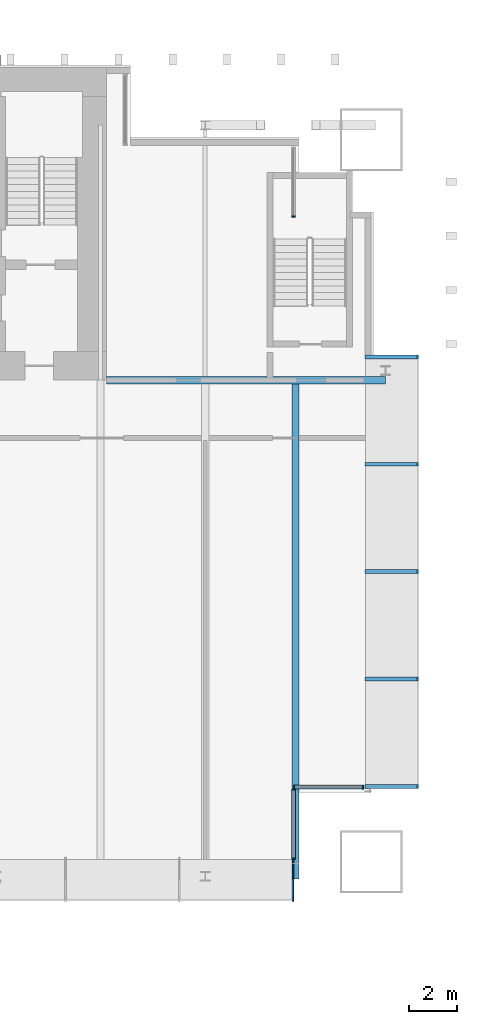
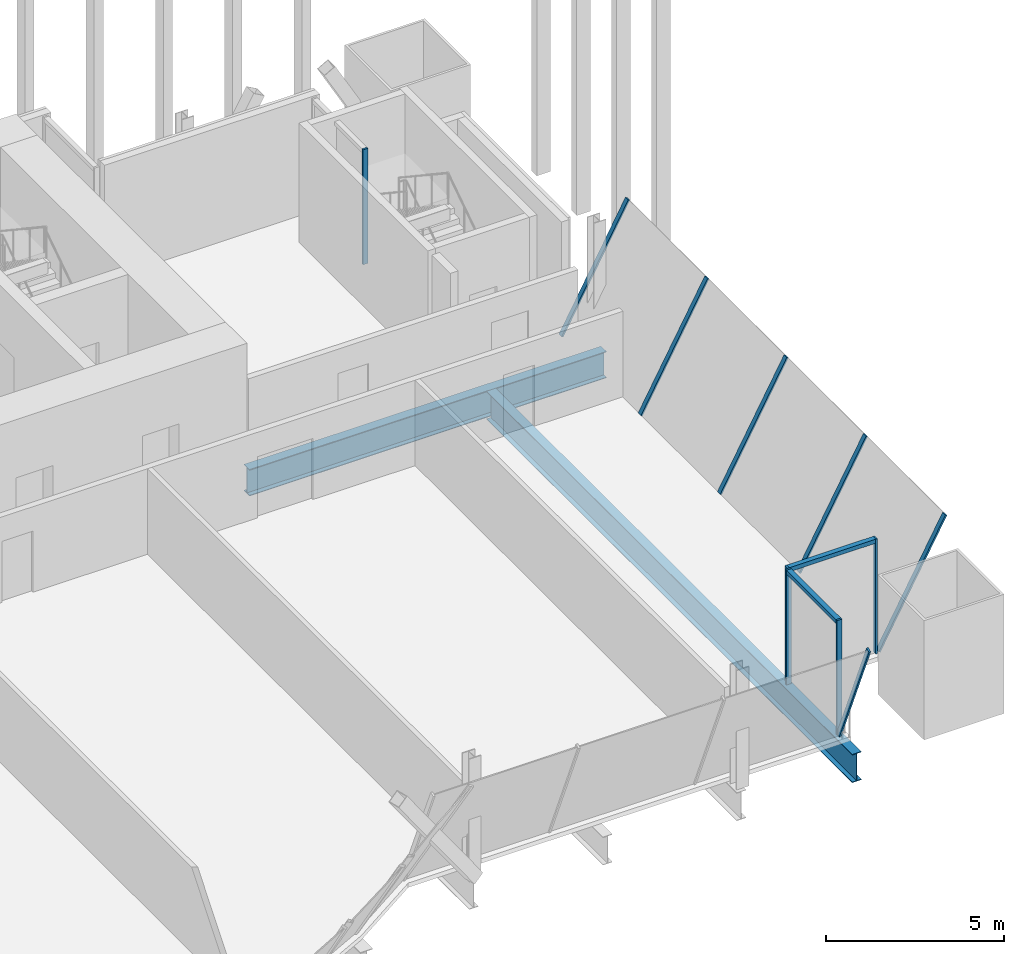
# One storey, part 24 of 33: 13 members, 2 beams, 5 elements without a shape of their own.
"""IFC4 building model written with IfcOpenShell, lengths in metres."""

from ifc_helpers import new_model, si_unit, direction, frame, origin, origin_2d, place, context, subcontext, project, spatial, rectangle, i_section, extrude, material, material_profile, profile_set, type_object, element, aggregate, save


model = new_model("IFC4")

# Units and contexts
model_context = context("Model", 3, precision=1e-05, world=origin(), true_north=direction((0.0, 1.0)))
body_context = subcontext(model_context, "Body", "Model", "MODEL_VIEW")
ifc_project = project(units=[si_unit("LENGTHUNIT", "METRE"), si_unit("AREAUNIT", "SQUARE_METRE"), si_unit("VOLUMEUNIT", "CUBIC_METRE"), si_unit("PLANEANGLEUNIT", "RADIAN"), si_unit("MASSUNIT", "GRAM", prefix="KILO")], contexts=[model_context])

# Site, building, storey
site_placement = place(None, origin())
site = spatial("IfcSite", under=ifc_project, at=site_placement, CompositionType="ELEMENT")
building_placement = place(site_placement, origin())
building = spatial("IfcBuilding", under=site, at=building_placement, Name="Bicima Exchange Tower", CompositionType="ELEMENT")
storey_placement = place(building_placement, frame((0.0, 0.0, 140.39990234375)))
storey = spatial("IfcBuildingStorey", under=building, at=storey_placement, Name="L30", CompositionType="ELEMENT", Elevation=140.39990234375)

# Beams
ifc_material_1 = material(Name="Steel ASTM A992 Gr 50", Category="steel")
ifc_material_profile_1 = material_profile(ifc_material_1, i_section(OverallWidth=0.3046875, OverallDepth=0.911865234375, WebThickness=0.015869140625, FlangeThickness=0.02392578125, at=origin_2d()))
ifc_profile_set_1 = profile_set([ifc_material_profile_1], Name="Steel ASTM A992 Gr 50")
beam_type_1 = type_object("IfcBeamType", Name="Core-line girder W36x150", PredefinedType="BEAM", material=ifc_profile_set_1)
beam_1_placement = place(storey_placement, frame((22.0, -13.0, -0.605712890625), z_axis=(1.0, 0.0, 0.0), x_axis=(0.0, 1.0, 0.0)))
element("IfcBeam", 1, at=beam_1_placement, inside=storey, type_object=beam_type_1, Name="Core-line girder", PredefinedType="BEAM", context=body_context, shape_type="SweptSolid", body=[
    extrude(i_section(OverallWidth=0.3046875, OverallDepth=0.911865234375, WebThickness=0.015869140625, FlangeThickness=0.02392578125, at=origin_2d()), origin(), (0.0, 0.0, 1.0), 11.60009765625),
])
ifc_material_profile_2 = material_profile(ifc_material_1, i_section(OverallWidth=0.2998046875, OverallDepth=0.97021484375, WebThickness=0.01611328125, FlangeThickness=0.02099609375, at=origin_2d()))
ifc_profile_set_2 = profile_set([ifc_material_profile_2], Name="Steel ASTM A992 Gr 50")
beam_type_2 = type_object("IfcBeamType", Name="Floor beam W40x149", PredefinedType="JOIST", material=ifc_profile_set_2)
beam_2_placement = place(storey_placement, frame((29.85009765625, -13.15234375, -0.635009765625), z_axis=(0.0, -1.0, 0.0), x_axis=(1.0, 0.0, 0.0)))
element("IfcBeam", 2, at=beam_2_placement, inside=storey, type_object=beam_type_2, Name="Floor beam", PredefinedType="JOIST", context=body_context, shape_type="SweptSolid", body=[
    extrude(i_section(OverallWidth=0.2998046875, OverallDepth=0.97021484375, WebThickness=0.01611328125, FlangeThickness=0.02099609375, at=origin_2d()), origin(), (0.0, 0.0, 1.0), 20.591552734375),
])

# Curtain wall, member
ifc_material_2 = material(Name="Anodised bronze aluminium", Category="aluminium")
curtain_wall_type = type_object("IfcCurtainWallType", Name="Front glass wall", PredefinedType="NOTDEFINED", material=ifc_material_2)
curtain_wall_1_placement = place(storey_placement, origin())
curtain_wall_1 = element("IfcCurtainWall", 3, at=curtain_wall_1_placement, inside=storey, type_object=curtain_wall_type, Name="Front glass wall L30 run 2", PredefinedType="NOTDEFINED")
ifc_material_profile_3 = material_profile(ifc_material_2, rectangle(XDim=0.159912109375, YDim=0.06005859375, at=origin_2d()))
ifc_profile_set_3 = profile_set([ifc_material_profile_3], Name="Anodised bronze aluminium")
member_type_1 = type_object("IfcMemberType", Name="Front glass wall mullion 60 x 160", PredefinedType="MULLION", material=ifc_profile_set_3)
member_1_placement = place(storey_placement, frame((29.77001953125, -6.199951171875, 0.0), z_axis=(0.0, 0.0, 1.0), x_axis=(-1.0, 0.0, 0.0)))
member_1 = element("IfcMember", 4, at=member_1_placement, type_object=member_type_1, Name="Front glass wall mullion 1", PredefinedType="MULLION", context=body_context, shape_type="SweptSolid", body=[
    extrude(rectangle(XDim=0.159912109375, YDim=0.06005859375, at=origin_2d()), origin(), (0.0, 0.0, 1.0), 3.9501953125),
])
aggregate(curtain_wall_1, [member_1])

# Curtain wall, members
curtain_wall_2_placement = place(storey_placement, origin())
curtain_wall_2 = element("IfcCurtainWall", 5, at=curtain_wall_2_placement, inside=storey, type_object=curtain_wall_type, Name="Front glass wall L30 run 21", PredefinedType="NOTDEFINED")
member_2_placement = place(storey_placement, frame((29.77001953125, -32.884033203125, 0.0), z_axis=(0.0, 0.0, 1.0), x_axis=(-1.0, 0.0, 0.0)))
member_2 = element("IfcMember", 6, at=member_2_placement, type_object=member_type_1, Name="Front glass wall mullion 1", PredefinedType="MULLION", context=body_context, shape_type="SweptSolid", body=[
    extrude(rectangle(XDim=0.159912109375, YDim=0.06005859375, at=origin_2d()), origin(), (0.0, 0.0, 1.0), 3.9501953125),
])
member_3_placement = place(storey_placement, frame((29.77001953125, -30.02392578125, 0.0), z_axis=(0.0, 0.0, 1.0), x_axis=(-1.0, 0.0, 0.0)))
member_3 = element("IfcMember", 7, at=member_3_placement, type_object=member_type_1, Name="Front glass wall mullion 2", PredefinedType="MULLION", context=body_context, shape_type="SweptSolid", body=[
    extrude(rectangle(XDim=0.159912109375, YDim=0.06005859375, at=origin_2d()), origin(), (0.0, 0.0, 1.0), 3.9501953125),
])

curtain_wall_3_placement = place(storey_placement, origin())
curtain_wall_3 = element("IfcCurtainWall", 8, at=curtain_wall_3_placement, inside=storey, type_object=curtain_wall_type, Name="Front glass wall L30 run 22", PredefinedType="NOTDEFINED")
member_4_placement = place(storey_placement, frame((29.800048828125, -29.9140625, 0.0), z_axis=(0.0, 0.0, 1.0), x_axis=(0.0, 1.0, 0.0)))
member_4 = element("IfcMember", 9, at=member_4_placement, type_object=member_type_1, Name="Front glass wall mullion 1", PredefinedType="MULLION", context=body_context, shape_type="SweptSolid", body=[
    extrude(rectangle(XDim=0.159912109375, YDim=0.06005859375, at=origin_2d()), origin(), (0.0, 0.0, 1.0), 3.9501953125),
])
member_5_placement = place(storey_placement, frame((32.659912109375, -29.9140625, 0.0), z_axis=(0.0, 0.0, 1.0), x_axis=(0.0, 1.0, 0.0)))
member_5 = element("IfcMember", 10, at=member_5_placement, type_object=member_type_1, Name="Front glass wall mullion 2", PredefinedType="MULLION", context=body_context, shape_type="SweptSolid", body=[
    extrude(rectangle(XDim=0.159912109375, YDim=0.06005859375, at=origin_2d()), origin(), (0.0, 0.0, 1.0), 3.9501953125),
])

curtain_wall_4_placement = place(storey_placement, origin())
curtain_wall_4 = element("IfcCurtainWall", 11, at=curtain_wall_4_placement, inside=storey, type_object=curtain_wall_type, Name="Canted glass wall L30 1.1", PredefinedType="NOTDEFINED")
member_6_placement = place(storey_placement, frame((32.77001953125, -29.884033203125, 0.0), z_axis=(0.481086555324, 0.0, 0.876673101154), x_axis=(0.0, -1.0, 0.0)))
member_6 = element("IfcMember", 12, at=member_6_placement, type_object=member_type_1, Name="Canted glass mullion 1", PredefinedType="MULLION", context=body_context, shape_type="SweptSolid", body=[
    extrude(rectangle(XDim=0.159912109375, YDim=0.06005859375, at=origin_2d()), origin(), (0.0, 0.0, 1.0), 4.505859375),
])
member_7_placement = place(storey_placement, frame((32.77001953125, -25.42041015625, 0.0), z_axis=(0.481086555324, 0.0, 0.876673101154), x_axis=(0.0, -1.0, 0.0)))
member_7 = element("IfcMember", 13, at=member_7_placement, type_object=member_type_1, Name="Canted glass mullion 2", PredefinedType="MULLION", context=body_context, shape_type="SweptSolid", body=[
    extrude(rectangle(XDim=0.159912109375, YDim=0.06005859375, at=origin_2d()), origin(), (0.0, 0.0, 1.0), 4.505859375),
])
member_8_placement = place(storey_placement, frame((32.77001953125, -20.95703125, 0.0), z_axis=(0.481086555324, 0.0, 0.876673101154), x_axis=(0.0, -1.0, 0.0)))
member_8 = element("IfcMember", 14, at=member_8_placement, type_object=member_type_1, Name="Canted glass mullion 3", PredefinedType="MULLION", context=body_context, shape_type="SweptSolid", body=[
    extrude(rectangle(XDim=0.159912109375, YDim=0.06005859375, at=origin_2d()), origin(), (0.0, 0.0, 1.0), 4.505859375),
])
member_9_placement = place(storey_placement, frame((32.77001953125, -16.493408203125, 0.0), z_axis=(0.481086555324, 0.0, 0.876673101154), x_axis=(0.0, -1.0, 0.0)))
member_9 = element("IfcMember", 15, at=member_9_placement, type_object=member_type_1, Name="Canted glass mullion 4", PredefinedType="MULLION", context=body_context, shape_type="SweptSolid", body=[
    extrude(rectangle(XDim=0.159912109375, YDim=0.06005859375, at=origin_2d()), origin(), (0.0, 0.0, 1.0), 4.505859375),
])
member_10_placement = place(storey_placement, frame((32.77001953125, -12.030029296875, 0.0), z_axis=(0.481086555324, 0.0, 0.876673101154), x_axis=(0.0, -1.0, 0.0)))
member_10 = element("IfcMember", 16, at=member_10_placement, type_object=member_type_1, Name="Canted glass mullion 5", PredefinedType="MULLION", context=body_context, shape_type="SweptSolid", body=[
    extrude(rectangle(XDim=0.159912109375, YDim=0.06005859375, at=origin_2d()), origin(), (0.0, 0.0, 1.0), 4.505859375),
])
aggregate(curtain_wall_4, [member_6, member_7, member_8, member_9, member_10])

# Curtain wall, member
curtain_wall_5_placement = place(storey_placement, origin())
curtain_wall_5 = element("IfcCurtainWall", 17, at=curtain_wall_5_placement, inside=storey, type_object=curtain_wall_type, Name="Canted glass wall L30 54.1", PredefinedType="NOTDEFINED")
member_11_placement = place(storey_placement, frame((29.739990234375, -32.9140625, 0.0), z_axis=(0.0, -0.392560507207, 0.91972618109), x_axis=(0.0, 0.91972618109, 0.392560507207)))
member_11 = element("IfcMember", 18, at=member_11_placement, type_object=member_type_1, Name="Canted glass mullion 4", PredefinedType="MULLION", context=body_context, shape_type="SweptSolid", body=[
    extrude(rectangle(XDim=0.159912109375, YDim=0.06005859375, at=origin_2d()), origin(), (0.0, 0.0, 1.0), 4.294921875),
])
aggregate(curtain_wall_5, [member_11])

# Member
ifc_material_profile_4 = material_profile(ifc_material_2, rectangle(XDim=0.159912109375, YDim=0.139892578125, at=origin_2d()))
ifc_profile_set_4 = profile_set([ifc_material_profile_4], Name="Anodised bronze aluminium")
member_type_2 = type_object("IfcMemberType", Name="Front glass wall transom 140 x 160", PredefinedType="USERDEFINED", material=ifc_profile_set_4)
member_12_placement = place(storey_placement, frame((29.77001953125, -32.85400390625, 3.880126953125), z_axis=(0.0, 1.0, 0.0), x_axis=(-1.0, 0.0, 0.0)))
member_12 = element("IfcMember", 19, at=member_12_placement, type_object=member_type_2, Name="Front glass wall transom 1.1", ObjectType="TRANSOM", PredefinedType="USERDEFINED", context=body_context, shape_type="SweptSolid", body=[
    extrude(rectangle(XDim=0.159912109375, YDim=0.139892578125, at=origin_2d()), origin(), (0.0, 0.0, 1.0), 2.800048828125),
])

aggregate(curtain_wall_2, [member_2, member_3, member_12])

member_13_placement = place(storey_placement, frame((29.830078125, -29.9140625, 3.880126953125), z_axis=(1.0, 0.0, 0.0), x_axis=(0.0, 1.0, 0.0)))
member_13 = element("IfcMember", 20, at=member_13_placement, type_object=member_type_2, Name="Front glass wall transom 1.1", ObjectType="TRANSOM", PredefinedType="USERDEFINED", context=body_context, shape_type="SweptSolid", body=[
    extrude(rectangle(XDim=0.159912109375, YDim=0.139892578125, at=origin_2d()), origin(), (0.0, 0.0, 1.0), 2.7998046875),
])

aggregate(curtain_wall_3, [member_4, member_5, member_13])

save(model, "model.ifc")
